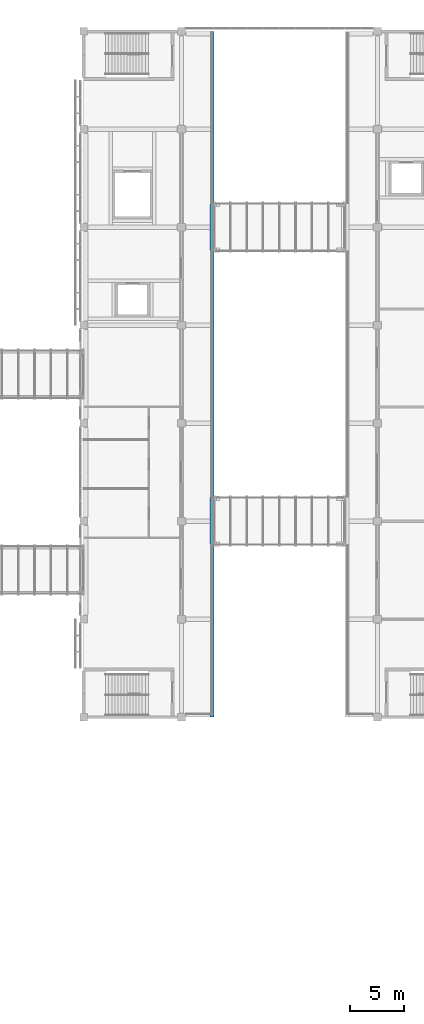
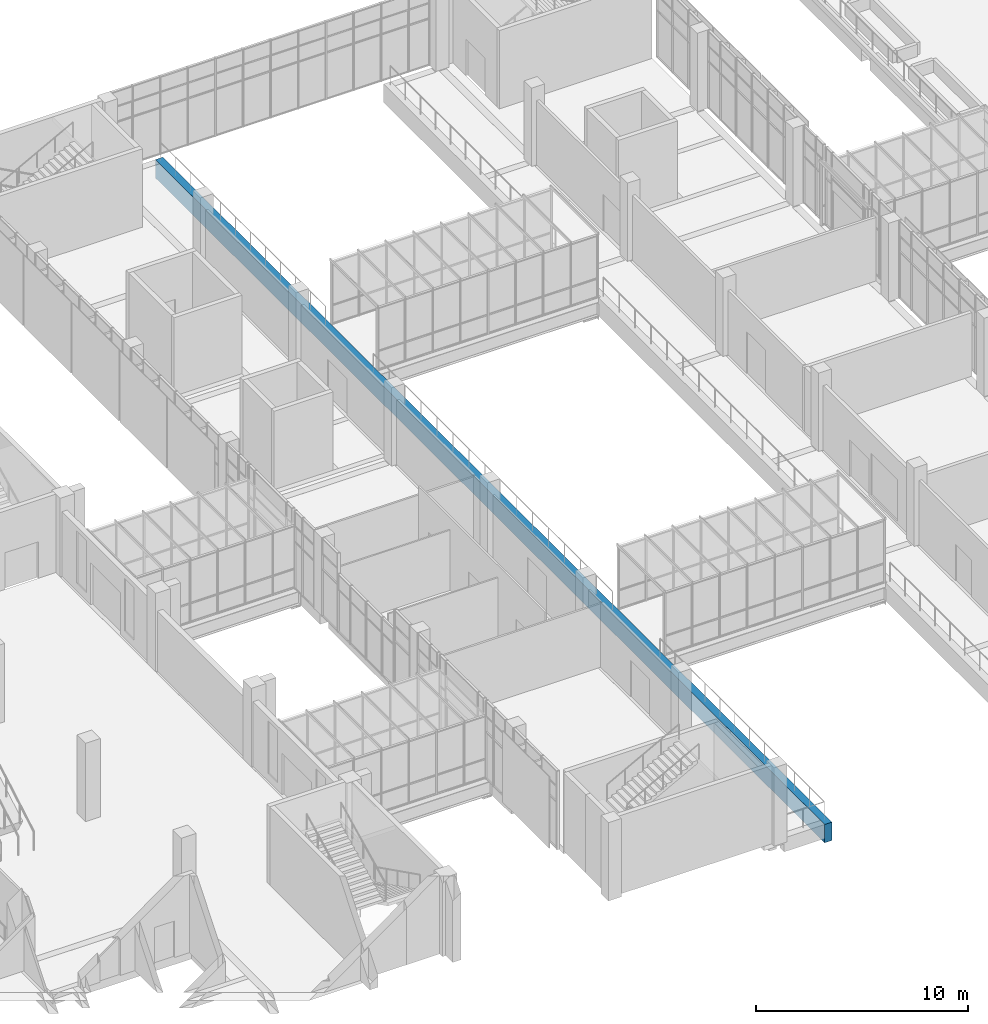
# One storey, part 19 of 106: 1 beam.
"""IFC4 building model written with IfcOpenShell, lengths in metres."""

import ifcopenshell
import ifcopenshell.guid

model = None  # the IFC model being written
_history = None  # IfcOwnerHistory: only IFC2X3 demands one
_inside = {}  # id of a spatial element -> (the spatial element, [elements in it])
_under = {}  # id of a project, library or spatial element -> (it, [spatial elements below it])
_declared = {}  # id of a project -> (the project, [libraries it declares])
_typed = {}  # id of a type object -> (the type object, [elements of that type])
_made_of = {}  # id of a material, layer set ... -> (it, [elements and type objects made of it])


def new_model(schema):
    """Start an empty IFC model of exactly this schema.

    Asked for "IFC4X3", IfcOpenShell would pick the latest addendum, in which some entities
    have other attributes; the version numbers below select the first issue.
    IFC2X3 requires an IfcOwnerHistory on every rooted entity: one is made here for all.
    """
    global model, _history
    if schema == "IFC4X3":
        model = ifcopenshell.file(schema_version=(4, 3, 0, 0))
    else:
        model = ifcopenshell.file(schema=schema)
    _inside.clear()
    _under.clear()
    _declared.clear()
    _typed.clear()
    _made_of.clear()
    _history = None
    if model.schema == "IFC2X3":
        org = make("IfcOrganization", Name="unknown")
        user = make(
            "IfcPersonAndOrganization",
            ThePerson=make("IfcPerson", FamilyName="unknown"),
            TheOrganization=org,
        )
        app = make(
            "IfcApplication",
            ApplicationDeveloper=org,
            Version="unknown",
            ApplicationFullName="unknown",
            ApplicationIdentifier="unknown",
        )
        _history = make(
            "IfcOwnerHistory",
            OwningUser=user,
            OwningApplication=app,
            ChangeAction="ADDED",
            CreationDate=0,
        )
    return model


def make(cls, **values):
    """One entity of the class cls with the attributes given. An attribute that is None is left unset."""
    return model.create_entity(
        cls, **{name: value for name, value in values.items() if value is not None}
    )


def rooted(cls, **values):
    """An entity with a GlobalId (a new one), such as an element, a storey or a relation."""
    return make(cls, GlobalId=ifcopenshell.guid.new(), OwnerHistory=_history, **values)


def si_unit(unit_type, name, prefix=None):
    """IfcSIUnit, for example si_unit("LENGTHUNIT", "METRE", prefix="MILLI")."""
    return make("IfcSIUnit", UnitType=unit_type, Prefix=prefix, Name=name)


def assignment(units):
    """IfcUnitAssignment: the units of a project."""
    return None if units is None else make("IfcUnitAssignment", Units=units)


def point(xyz):
    """IfcCartesianPoint."""
    return None if xyz is None else make("IfcCartesianPoint", Coordinates=xyz)


def direction(xyz):
    """IfcDirection."""
    return None if xyz is None else make("IfcDirection", DirectionRatios=xyz)


def frame(location, z_axis=None, x_axis=None):
    """IfcAxis2Placement3D, a coordinate frame: its origin and axes. An axis left out is left unset."""
    return make(
        "IfcAxis2Placement3D",
        Location=point(location),
        Axis=direction(z_axis),
        RefDirection=direction(x_axis),
    )


def frame_2d(location, x_axis=None):
    """IfcAxis2Placement2D, a coordinate frame in the plane: its origin and x axis."""
    return make(
        "IfcAxis2Placement2D", Location=point(location), RefDirection=direction(x_axis)
    )


def origin():
    """The frame at (0, 0, 0) with its axes left unset."""
    return frame((0.0, 0.0, 0.0))


def origin_2d():
    """The frame at (0, 0) in the plane with its x axis left unset."""
    return frame_2d((0.0, 0.0))


def place(relative_to, where):
    """IfcLocalPlacement: puts the frame where relative to a parent placement (None: the world)."""
    return make(
        "IfcLocalPlacement", PlacementRelTo=relative_to, RelativePlacement=where
    )


def context(
    kind, dimensions, precision=None, world=None, true_north=None, identifier=None
):
    """IfcGeometricRepresentationContext, for example the 3D "Model" context."""
    return make(
        "IfcGeometricRepresentationContext",
        ContextIdentifier=identifier,
        ContextType=kind,
        CoordinateSpaceDimension=dimensions,
        Precision=precision,
        WorldCoordinateSystem=world,
        TrueNorth=true_north,
    )


def subcontext(parent, identifier, kind, view, scale=None):
    """IfcGeometricRepresentationSubContext, for example "Body" below "Model"."""
    return make(
        "IfcGeometricRepresentationSubContext",
        ContextIdentifier=identifier,
        ContextType=kind,
        ParentContext=parent,
        TargetScale=scale,
        TargetView=view,
    )


def project(units=None, contexts=None):
    """IfcProject with its units and contexts."""
    return rooted(
        "IfcProject",
        Name="project",
        RepresentationContexts=contexts,
        UnitsInContext=assignment(units),
    )


def spatial(cls, under=None, at=None, **own):
    """A site, building, storey or space (cls), placed at a placement, below another one or the project."""
    s = rooted(cls, ObjectPlacement=at, **own)
    if under is not None:
        _under.setdefault(under.id(), (under, []))[1].append(s)
    return s


def profile(cls, at=None, kind="AREA", **sizes):
    """A parametric profile (cls). Its sizes go by their IFC names, for example OverallWidth=200.0."""
    return make(cls, ProfileType=kind, Position=at, **sizes)


def rectangle(**sizes):
    """IfcRectangleProfileDef."""
    return profile("IfcRectangleProfileDef", **sizes)


def extrude(swept, where, along, depth):
    """IfcExtrudedAreaSolid: the profile swept, set in the frame where, extruded along a direction by depth."""
    return make(
        "IfcExtrudedAreaSolid",
        SweptArea=swept,
        Position=where,
        ExtrudedDirection=direction(along),
        Depth=depth,
    )


def shape(context_of_items, identifier, shape_type, items):
    """IfcShapeRepresentation: the items that make up one representation, for example the "Body"."""
    return make(
        "IfcShapeRepresentation",
        ContextOfItems=context_of_items,
        RepresentationIdentifier=identifier,
        RepresentationType=shape_type,
        Items=items,
    )


def material(Name=None, Category=None):
    """IfcMaterial."""
    return make("IfcMaterial", Name=Name, Category=Category)


def material_profile(
    of_material, cross_section, Name=None, Category=None, Priority=None
):
    """IfcMaterialProfile: a cross section and its material."""
    return make(
        "IfcMaterialProfile",
        Name=Name,
        Material=of_material,
        Profile=cross_section,
        Priority=Priority,
        Category=Category,
    )


def profile_set(profiles, Name=None, composite=None):
    """IfcMaterialProfileSet."""
    return make(
        "IfcMaterialProfileSet",
        Name=Name,
        MaterialProfiles=profiles,
        CompositeProfile=composite,
    )


def made_of(thing, what):
    """Note that an element or type object is made of a material, layer set ...; save() writes the relation."""
    if what is not None:
        _made_of.setdefault(what.id(), (what, []))[1].append(thing)
    return thing


def type_object(cls, material=None, **own):
    """A type object (cls), such as IfcWallType, which elements share."""
    return made_of(rooted(cls, **own), material)


def element(
    cls,
    number,
    at=None,
    inside=None,
    cuts=None,
    type_object=None,
    material=None,
    context=None,
    identifier="Body",
    shape_type=None,
    held_by="IfcProductDefinitionShape",
    body=None,
    shapes=None,
    **own,
):
    """One element of the class cls, such as IfcWall. Its Tag is "e" and its number.

    at: its placement. inside: the storey or other place that contains it. cuts: it is an
    opening in that element (IfcRelVoidsElement). A single representation is given by context,
    identifier, shape_type and body (its items); several are given by shapes. held_by: the class
    of the entity that holds the representations. save() writes the other relations.
    """
    e = rooted(cls, Tag="e%d" % number, ObjectPlacement=at, **own)
    if body is not None:
        shapes = [shape(context, identifier, shape_type, body)]
    if shapes is not None:
        e.Representation = make(held_by, Representations=shapes)
    if inside is not None:
        _inside.setdefault(inside.id(), (inside, []))[1].append(e)
    if cuts is not None:
        rooted(
            "IfcRelVoidsElement", RelatingBuildingElement=cuts, RelatedOpeningElement=e
        )
    if type_object is not None:
        _typed.setdefault(type_object.id(), (type_object, []))[1].append(e)
    return made_of(e, material)


def aggregate(whole, parts):
    """IfcRelAggregates: a whole, such as a stair, and the parts it consists of."""
    return rooted("IfcRelAggregates", RelatingObject=whole, RelatedObjects=parts)


def save(model, path):
    """Write the relations noted so far, then the file.

    IfcRelAggregates (storeys below a building ...), IfcRelContainedInSpatialStructure (elements
    in a storey), IfcRelDefinesByType, IfcRelAssociatesMaterial and IfcRelDeclares: one each for
    every whole, place, type object, material and project.
    """
    for whole, parts in _under.values():
        aggregate(whole, parts)
    for where, things in _inside.values():
        rooted(
            "IfcRelContainedInSpatialStructure",
            RelatedElements=things,
            RelatingStructure=where,
        )
    for kind, things in _typed.values():
        rooted("IfcRelDefinesByType", RelatedObjects=things, RelatingType=kind)
    for what, things in _made_of.values():
        rooted("IfcRelAssociatesMaterial", RelatedObjects=things, RelatingMaterial=what)
    for by, libraries in _declared.values():
        rooted("IfcRelDeclares", RelatingContext=by, RelatedDefinitions=libraries)
    model.write(path)


model = new_model("IFC4")

# Units and contexts
model_context = context("Model", 3, precision=1e-05, world=origin(), true_north=direction((0.0, 1.0)))
body_context = subcontext(model_context, "Body", "Model", "MODEL_VIEW")
ifc_project = project(units=[si_unit("LENGTHUNIT", "METRE"), si_unit("AREAUNIT", "SQUARE_METRE"), si_unit("VOLUMEUNIT", "CUBIC_METRE"), si_unit("PLANEANGLEUNIT", "RADIAN"), si_unit("MASSUNIT", "GRAM", prefix="KILO")], contexts=[model_context])

# Site, building, storey
site_placement = place(None, origin())
site = spatial("IfcSite", under=ifc_project, at=site_placement, CompositionType="ELEMENT")
building_placement = place(site_placement, origin())
building = spatial("IfcBuilding", under=site, at=building_placement, Name="Guidao Yard Department Store", CompositionType="ELEMENT")
storey_placement = place(building_placement, frame((0.0, 0.0, 10.5)))
storey = spatial("IfcBuildingStorey", under=building, at=storey_placement, Name="L02", CompositionType="ELEMENT", Elevation=10.5)

# Beam
ifc_material = material(Name="Concrete C40", Category="concrete")
ifc_material_profile = material_profile(ifc_material, rectangle(XDim=0.39990234375, YDim=1.050048828125, at=origin_2d()), Name="Bridge landing beam 400 x 1050 C40")
ifc_profile_set = profile_set([ifc_material_profile], Name="Concrete C40")
beam_type = type_object("IfcBeamType", Name="Bridge landing beam 400 x 1050 C40", PredefinedType="BEAM", material=ifc_profile_set)
beam_placement = place(storey_placement, frame((83.800048828125, 45.0, -0.52490234375), z_axis=(0.0, 1.0, 0.0), x_axis=(-1.0, 0.0, 0.0)))
element("IfcBeam", 1, at=beam_placement, inside=storey, type_object=beam_type, Name="Beam LB07", PredefinedType="BEAM", context=body_context, shape_type="SweptSolid", body=[
    extrude(rectangle(XDim=0.39990234375, YDim=1.050048828125, at=origin_2d()), origin(), (0.0, 0.0, 1.0), 63.0),
])

save(model, "model.ifc")
